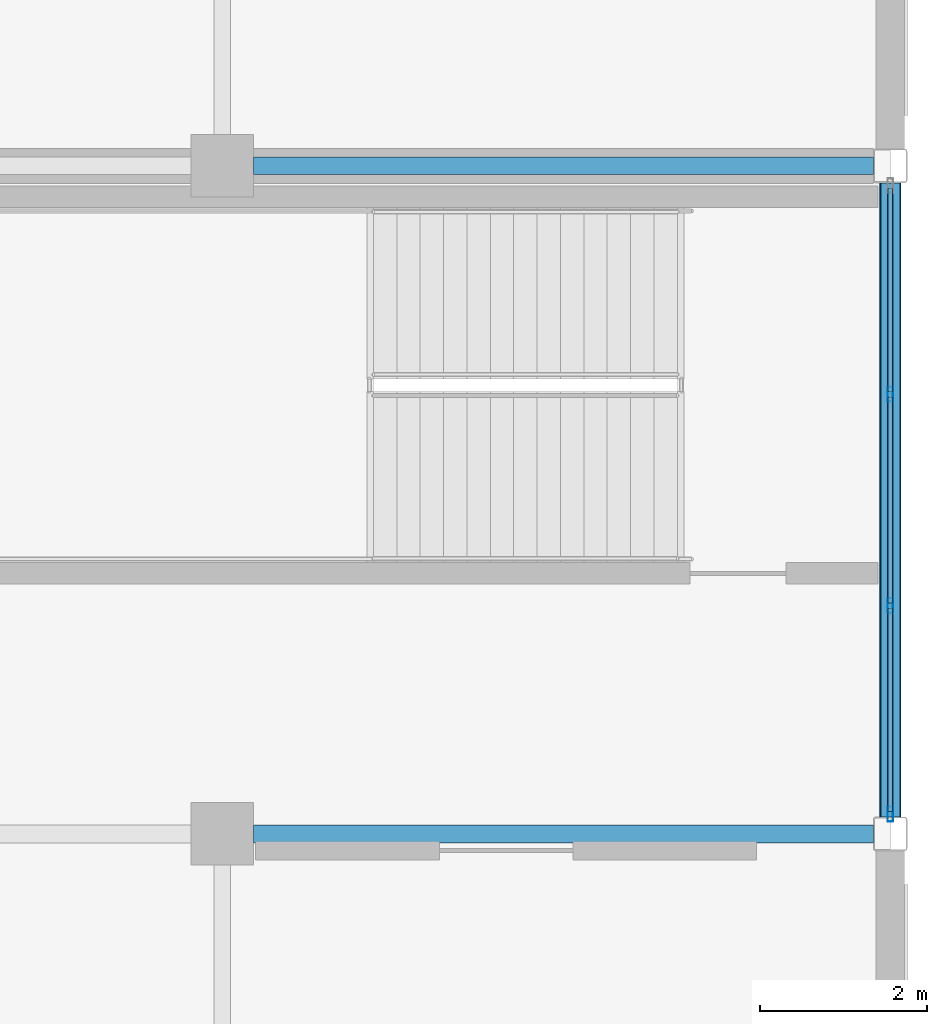
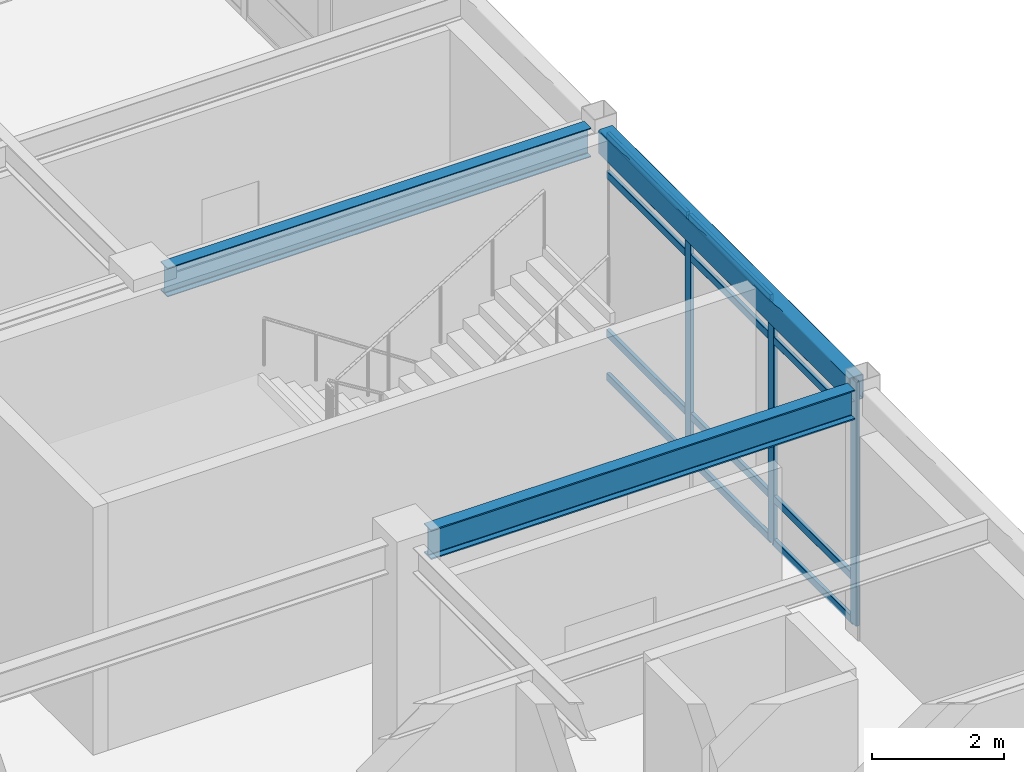
# One storey, part 80 of 117: 15 members, 3 beams, 1 element without a shape of its own.
"""IFC4 building model written with IfcOpenShell, lengths in metres."""

from ifc_helpers import new_model, si_unit, direction, frame, origin, origin_2d, place, context, subcontext, project, spatial, hollow_rectangle, i_section, extrude, material, material_profile, profile_set, type_object, element, aggregate, save


model = new_model("IFC4")

# Units and contexts
model_context = context("Model", 3, precision=1e-05, world=origin(), true_north=direction((0.0, 1.0)))
body_context = subcontext(model_context, "Body", "Model", "MODEL_VIEW")
ifc_project = project(units=[si_unit("LENGTHUNIT", "METRE"), si_unit("AREAUNIT", "SQUARE_METRE"), si_unit("VOLUMEUNIT", "CUBIC_METRE"), si_unit("PLANEANGLEUNIT", "RADIAN"), si_unit("MASSUNIT", "GRAM", prefix="KILO")], contexts=[model_context])

# Site, building, storey
site_placement = place(None, origin())
site = spatial("IfcSite", under=ifc_project, at=site_placement, CompositionType="ELEMENT")
building_placement = place(site_placement, origin())
building = spatial("IfcBuilding", under=site, at=building_placement, Name="Solmirada Galleria", CompositionType="ELEMENT")
storey_placement = place(building_placement, frame((0.0, 0.0, 5.60009765625)))
storey = spatial("IfcBuildingStorey", under=building, at=storey_placement, Name="L01", CompositionType="ELEMENT", Elevation=5.60009765625)

# Beams
ifc_material_1 = material(Name="Steel S355 / ASTM A992 Grade 50", Category="steel")
ifc_material_profile_1 = material_profile(ifc_material_1, i_section(OverallWidth=0.214111328125, OverallDepth=0.549072265625, WebThickness=0.0146484375, FlangeThickness=0.023681640625, FilletRadius=0.014892578125, at=origin_2d()), Name="W21X93")
ifc_profile_set_1 = profile_set([ifc_material_profile_1], Name="Steel S355 / ASTM A992 Grade 50")
beam_type_1 = type_object("IfcBeamType", Name="BM-GIRD-W21A", PredefinedType="BEAM", material=ifc_profile_set_1)
beam_1_placement = place(storey_placement, frame((168.375, 96.0, 4.325439453125), z_axis=(1.0, 0.0, 0.0), x_axis=(0.0, 1.0, 0.0)))
element("IfcBeam", 1, at=beam_1_placement, inside=storey, type_object=beam_type_1, Name="Primary beam L02 X(168..176, 96)", PredefinedType="BEAM", context=body_context, shape_type="SweptSolid", body=[
    extrude(i_section(OverallWidth=0.214111328125, OverallDepth=0.549072265625, WebThickness=0.0146484375, FlangeThickness=0.023681640625, FilletRadius=0.014892578125, at=origin_2d()), origin(), (0.0, 0.0, 1.0), 7.422119140625),
])
ifc_material_profile_2 = material_profile(ifc_material_1, i_section(OverallWidth=0.2099609375, OverallDepth=0.537109375, WebThickness=0.010986328125, FlangeThickness=0.017333984375, FilletRadius=0.014892578125, at=origin_2d()), Name="W21X68")
ifc_profile_set_2 = profile_set([ifc_material_profile_2], Name="Steel S355 / ASTM A992 Grade 50")
beam_type_2 = type_object("IfcBeamType", Name="BM-GIRD-W21B", PredefinedType="BEAM", material=ifc_profile_set_2)
beam_2_placement = place(storey_placement, frame((168.375, 104.0, 4.331298828125), z_axis=(1.0, 0.0, 0.0), x_axis=(0.0, 1.0, 0.0)))
element("IfcBeam", 2, at=beam_2_placement, inside=storey, type_object=beam_type_2, Name="Primary beam L02 X(168..176, 104)", PredefinedType="BEAM", context=body_context, shape_type="SweptSolid", body=[
    extrude(i_section(OverallWidth=0.2099609375, OverallDepth=0.537109375, WebThickness=0.010986328125, FlangeThickness=0.017333984375, FilletRadius=0.014892578125, at=origin_2d()), origin(), (0.0, 0.0, 1.0), 7.422119140625),
])
ifc_material_2 = material(Name="Steel S355 / ASTM A500 Grade C", Category="steel")
ifc_material_profile_3 = material_profile(ifc_material_2, hollow_rectangle(XDim=0.25390625, YDim=0.45703125, WallThickness=0.01171875, InnerFilletRadius=0.01171875, OuterFilletRadius=0.023681640625, at=origin_2d()), Name="HSS18X10X1/2")
ifc_profile_set_3 = profile_set([ifc_material_profile_3], Name="Steel S355 / ASTM A500 Grade C")
beam_type_3 = type_object("IfcBeamType", Name="BM-SPAND-W18", PredefinedType="SPANDREL", material=ifc_profile_set_3)
beam_3_placement = place(storey_placement, frame((176.0, 96.202880859375, 4.371337890625), z_axis=(0.0, 1.0, 0.0), x_axis=(-1.0, 0.0, 0.0)))
element("IfcBeam", 3, at=beam_3_placement, inside=storey, type_object=beam_type_3, Name="Primary girder L02 Y(176, 96..104)", PredefinedType="SPANDREL", context=body_context, shape_type="SweptSolid", body=[
    extrude(hollow_rectangle(XDim=0.25390625, YDim=0.45703125, WallThickness=0.01171875, InnerFilletRadius=0.01171875, OuterFilletRadius=0.023681640625, at=origin_2d()), origin(), (0.0, 0.0, 1.0), 7.59423828125),
])

# Curtain wall, members
ifc_material_3 = material(Name="Impact-resistant low-E double glazing", Category="glass")
curtain_wall_type = type_object("IfcCurtainWallType", Name="CW-FZ2-L01-B3-L076", PredefinedType="NOTDEFINED", material=ifc_material_3)
curtain_wall_placement = place(storey_placement, origin())
curtain_wall = element("IfcCurtainWall", 4, at=curtain_wall_placement, inside=storey, type_object=curtain_wall_type, Name="Terrace and arcade storefront CW-L01-061", PredefinedType="NOTDEFINED")
ifc_material_4 = material(Name="Anodised aluminium framing", Category="aluminium")
ifc_material_profile_4 = material_profile(ifc_material_4, hollow_rectangle(XDim=0.06494140625, YDim=0.179931640625, WallThickness=0.00390625, InnerFilletRadius=0.00390625, OuterFilletRadius=0.008056640625, at=origin_2d()), Name="ALU-MULL-180X65")
ifc_profile_set_4 = profile_set([ifc_material_profile_4], Name="Anodised aluminium framing")
member_type_1 = type_object("IfcMemberType", Name="CW-MULL-180", PredefinedType="MULLION", material=ifc_profile_set_4)
member_1_placement = place(storey_placement, frame((176.0, 101.264892578125, 0.0), z_axis=(0.0, 0.0, 1.0), x_axis=(1.0, 0.0, 0.0)))
member_1 = element("IfcMember", 5, at=member_1_placement, type_object=member_type_1, Name="CW15 mullion 2", PredefinedType="MULLION", context=body_context, shape_type="SweptSolid", body=[
    extrude(hollow_rectangle(XDim=0.06494140625, YDim=0.179931640625, WallThickness=0.00390625, InnerFilletRadius=0.00390625, OuterFilletRadius=0.008056640625, at=origin_2d()), origin(), (0.0, 0.0, 1.0), 4.52001953125),
])
member_2_placement = place(storey_placement, frame((176.0, 98.735107421875, 0.0), z_axis=(0.0, 0.0, 1.0), x_axis=(1.0, 0.0, 0.0)))
member_2 = element("IfcMember", 6, at=member_2_placement, type_object=member_type_1, Name="CW15 mullion 3", PredefinedType="MULLION", context=body_context, shape_type="SweptSolid", body=[
    extrude(hollow_rectangle(XDim=0.06494140625, YDim=0.179931640625, WallThickness=0.00390625, InnerFilletRadius=0.00390625, OuterFilletRadius=0.008056640625, at=origin_2d()), origin(), (0.0, 0.0, 1.0), 4.52001953125),
])
member_3_placement = place(storey_placement, frame((176.0, 96.237548828125, 0.0), z_axis=(0.0, 0.0, 1.0), x_axis=(1.0, 0.0, 0.0)))
member_3 = element("IfcMember", 7, at=member_3_placement, type_object=member_type_1, Name="CW15 mullion 4", PredefinedType="MULLION", context=body_context, shape_type="SweptSolid", body=[
    extrude(hollow_rectangle(XDim=0.06494140625, YDim=0.179931640625, WallThickness=0.00390625, InnerFilletRadius=0.00390625, OuterFilletRadius=0.008056640625, at=origin_2d()), origin(), (0.0, 0.0, 1.0), 4.52001953125),
])
ifc_material_profile_5 = material_profile(ifc_material_4, hollow_rectangle(XDim=0.06494140625, YDim=0.139892578125, WallThickness=0.00341796875, InnerFilletRadius=0.00341796875, OuterFilletRadius=0.007080078125, at=origin_2d()), Name="ALU-TRAN-140X65")
ifc_profile_set_5 = profile_set([ifc_material_profile_5], Name="Anodised aluminium framing")
member_type_2 = type_object("IfcMemberType", Name="CW-TRAN-140", PredefinedType="USERDEFINED", material=ifc_profile_set_5)
member_4_placement = place(storey_placement, frame((176.0, 103.72998046875, 0.032470703125), z_axis=(0.0, -1.0, 0.0), x_axis=(1.0, 0.0, 0.0)))
member_4 = element("IfcMember", 8, at=member_4_placement, type_object=member_type_2, Name="CW15 transom 1.1", ObjectType="TRANSOM", PredefinedType="USERDEFINED", context=body_context, shape_type="SweptSolid", body=[
    extrude(hollow_rectangle(XDim=0.06494140625, YDim=0.139892578125, WallThickness=0.00341796875, InnerFilletRadius=0.00341796875, OuterFilletRadius=0.007080078125, at=origin_2d()), origin(), (0.0, 0.0, 1.0), 2.432373046875),
])
member_5_placement = place(storey_placement, frame((176.0, 103.72998046875, 0.83984375), z_axis=(0.0, -1.0, 0.0), x_axis=(1.0, 0.0, 0.0)))
member_5 = element("IfcMember", 9, at=member_5_placement, type_object=member_type_2, Name="CW15 transom 1.2", ObjectType="TRANSOM", PredefinedType="USERDEFINED", context=body_context, shape_type="SweptSolid", body=[
    extrude(hollow_rectangle(XDim=0.06494140625, YDim=0.139892578125, WallThickness=0.00341796875, InnerFilletRadius=0.00341796875, OuterFilletRadius=0.007080078125, at=origin_2d()), origin(), (0.0, 0.0, 1.0), 2.432373046875),
])
member_6_placement = place(storey_placement, frame((176.0, 103.72998046875, 3.77978515625), z_axis=(0.0, -1.0, 0.0), x_axis=(1.0, 0.0, 0.0)))
member_6 = element("IfcMember", 10, at=member_6_placement, type_object=member_type_2, Name="CW15 transom 1.3", ObjectType="TRANSOM", PredefinedType="USERDEFINED", context=body_context, shape_type="SweptSolid", body=[
    extrude(hollow_rectangle(XDim=0.06494140625, YDim=0.139892578125, WallThickness=0.00341796875, InnerFilletRadius=0.00341796875, OuterFilletRadius=0.007080078125, at=origin_2d()), origin(), (0.0, 0.0, 1.0), 2.432373046875),
])
member_7_placement = place(storey_placement, frame((176.0, 103.72998046875, 4.4873046875), z_axis=(0.0, -1.0, 0.0), x_axis=(1.0, 0.0, 0.0)))
member_7 = element("IfcMember", 11, at=member_7_placement, type_object=member_type_2, Name="CW15 transom 1.4", ObjectType="TRANSOM", PredefinedType="USERDEFINED", context=body_context, shape_type="SweptSolid", body=[
    extrude(hollow_rectangle(XDim=0.06494140625, YDim=0.139892578125, WallThickness=0.00341796875, InnerFilletRadius=0.00341796875, OuterFilletRadius=0.007080078125, at=origin_2d()), origin(), (0.0, 0.0, 1.0), 2.432373046875),
])
member_8_placement = place(storey_placement, frame((176.0, 101.232421875, 0.032470703125), z_axis=(0.0, -1.0, 0.0), x_axis=(1.0, 0.0, 0.0)))
member_8 = element("IfcMember", 12, at=member_8_placement, type_object=member_type_2, Name="CW15 transom 2.1", ObjectType="TRANSOM", PredefinedType="USERDEFINED", context=body_context, shape_type="SweptSolid", body=[
    extrude(hollow_rectangle(XDim=0.06494140625, YDim=0.139892578125, WallThickness=0.00341796875, InnerFilletRadius=0.00341796875, OuterFilletRadius=0.007080078125, at=origin_2d()), origin(), (0.0, 0.0, 1.0), 2.46484375),
])
member_9_placement = place(storey_placement, frame((176.0, 101.232421875, 0.83984375), z_axis=(0.0, -1.0, 0.0), x_axis=(1.0, 0.0, 0.0)))
member_9 = element("IfcMember", 13, at=member_9_placement, type_object=member_type_2, Name="CW15 transom 2.2", ObjectType="TRANSOM", PredefinedType="USERDEFINED", context=body_context, shape_type="SweptSolid", body=[
    extrude(hollow_rectangle(XDim=0.06494140625, YDim=0.139892578125, WallThickness=0.00341796875, InnerFilletRadius=0.00341796875, OuterFilletRadius=0.007080078125, at=origin_2d()), origin(), (0.0, 0.0, 1.0), 2.46484375),
])
member_10_placement = place(storey_placement, frame((176.0, 101.232421875, 3.77978515625), z_axis=(0.0, -1.0, 0.0), x_axis=(1.0, 0.0, 0.0)))
member_10 = element("IfcMember", 14, at=member_10_placement, type_object=member_type_2, Name="CW15 transom 2.3", ObjectType="TRANSOM", PredefinedType="USERDEFINED", context=body_context, shape_type="SweptSolid", body=[
    extrude(hollow_rectangle(XDim=0.06494140625, YDim=0.139892578125, WallThickness=0.00341796875, InnerFilletRadius=0.00341796875, OuterFilletRadius=0.007080078125, at=origin_2d()), origin(), (0.0, 0.0, 1.0), 2.46484375),
])
member_11_placement = place(storey_placement, frame((176.0, 101.232421875, 4.4873046875), z_axis=(0.0, -1.0, 0.0), x_axis=(1.0, 0.0, 0.0)))
member_11 = element("IfcMember", 15, at=member_11_placement, type_object=member_type_2, Name="CW15 transom 2.4", ObjectType="TRANSOM", PredefinedType="USERDEFINED", context=body_context, shape_type="SweptSolid", body=[
    extrude(hollow_rectangle(XDim=0.06494140625, YDim=0.139892578125, WallThickness=0.00341796875, InnerFilletRadius=0.00341796875, OuterFilletRadius=0.007080078125, at=origin_2d()), origin(), (0.0, 0.0, 1.0), 2.46484375),
])
member_12_placement = place(storey_placement, frame((176.0, 98.702392578125, 0.032470703125), z_axis=(0.0, -1.0, 0.0), x_axis=(1.0, 0.0, 0.0)))
member_12 = element("IfcMember", 16, at=member_12_placement, type_object=member_type_2, Name="CW15 transom 3.1", ObjectType="TRANSOM", PredefinedType="USERDEFINED", context=body_context, shape_type="SweptSolid", body=[
    extrude(hollow_rectangle(XDim=0.06494140625, YDim=0.139892578125, WallThickness=0.00341796875, InnerFilletRadius=0.00341796875, OuterFilletRadius=0.007080078125, at=origin_2d()), origin(), (0.0, 0.0, 1.0), 2.432373046875),
])
member_13_placement = place(storey_placement, frame((176.0, 98.702392578125, 0.83984375), z_axis=(0.0, -1.0, 0.0), x_axis=(1.0, 0.0, 0.0)))
member_13 = element("IfcMember", 17, at=member_13_placement, type_object=member_type_2, Name="CW15 transom 3.2", ObjectType="TRANSOM", PredefinedType="USERDEFINED", context=body_context, shape_type="SweptSolid", body=[
    extrude(hollow_rectangle(XDim=0.06494140625, YDim=0.139892578125, WallThickness=0.00341796875, InnerFilletRadius=0.00341796875, OuterFilletRadius=0.007080078125, at=origin_2d()), origin(), (0.0, 0.0, 1.0), 2.432373046875),
])
member_14_placement = place(storey_placement, frame((176.0, 98.702392578125, 3.77978515625), z_axis=(0.0, -1.0, 0.0), x_axis=(1.0, 0.0, 0.0)))
member_14 = element("IfcMember", 18, at=member_14_placement, type_object=member_type_2, Name="CW15 transom 3.3", ObjectType="TRANSOM", PredefinedType="USERDEFINED", context=body_context, shape_type="SweptSolid", body=[
    extrude(hollow_rectangle(XDim=0.06494140625, YDim=0.139892578125, WallThickness=0.00341796875, InnerFilletRadius=0.00341796875, OuterFilletRadius=0.007080078125, at=origin_2d()), origin(), (0.0, 0.0, 1.0), 2.432373046875),
])
member_15_placement = place(storey_placement, frame((176.0, 98.702392578125, 4.4873046875), z_axis=(0.0, -1.0, 0.0), x_axis=(1.0, 0.0, 0.0)))
member_15 = element("IfcMember", 19, at=member_15_placement, type_object=member_type_2, Name="CW15 transom 3.4", ObjectType="TRANSOM", PredefinedType="USERDEFINED", context=body_context, shape_type="SweptSolid", body=[
    extrude(hollow_rectangle(XDim=0.06494140625, YDim=0.139892578125, WallThickness=0.00341796875, InnerFilletRadius=0.00341796875, OuterFilletRadius=0.007080078125, at=origin_2d()), origin(), (0.0, 0.0, 1.0), 2.432373046875),
])
aggregate(curtain_wall, [member_1, member_2, member_3, member_4, member_5, member_6, member_7, member_8, member_9, member_10, member_11, member_12, member_13, member_14, member_15])

save(model, "model.ifc")
